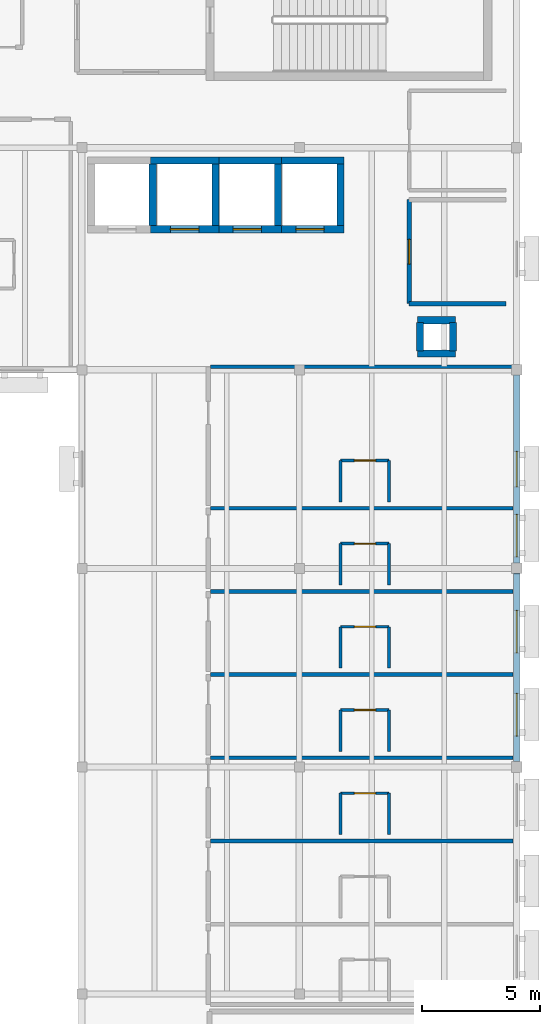
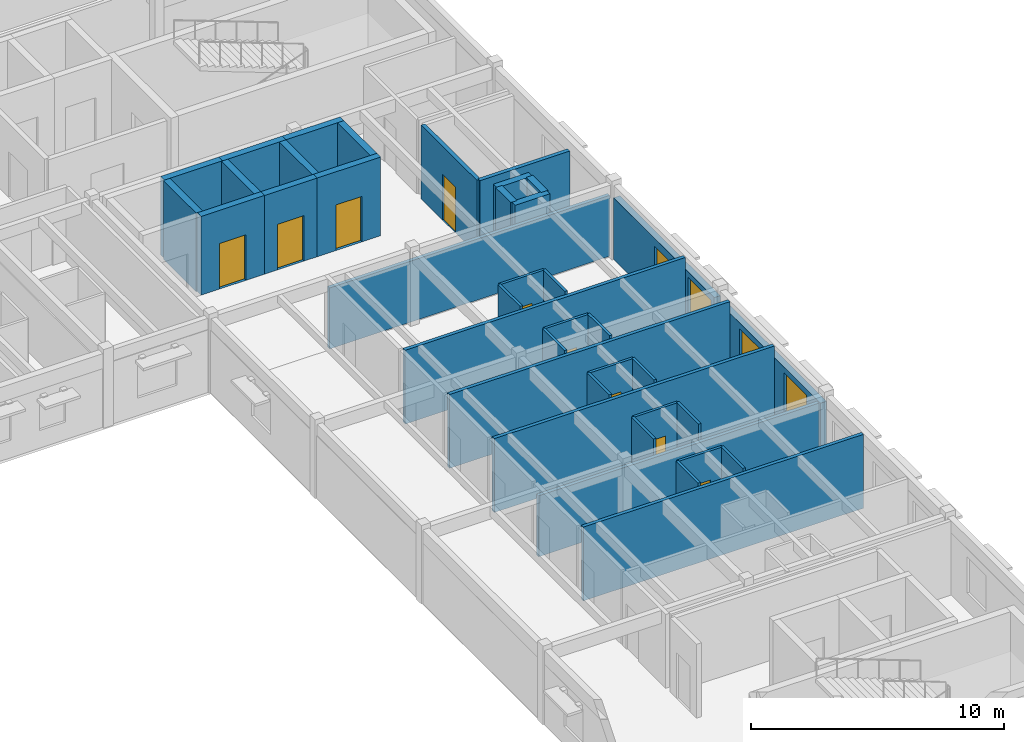
# One storey, part 8 of 15: 39 walls, 9 doors, 4 windows, 13 openings.
"""IFC4 building model written with IfcOpenShell, lengths in metres."""

from ifc_helpers import new_model, si_unit, direction, frame, frame_2d, origin, place, context, subcontext, project, spatial, rectangle, extrude, material, layer, layer_set, type_object, element, fill, save


model = new_model("IFC4")

# Units and contexts
model_context = context("Model", 3, precision=1e-05, world=origin(), true_north=direction((0.0, 1.0)))
body_context = subcontext(model_context, "Body", "Model", "MODEL_VIEW")
ifc_project = project(units=[si_unit("LENGTHUNIT", "METRE"), si_unit("AREAUNIT", "SQUARE_METRE"), si_unit("VOLUMEUNIT", "CUBIC_METRE"), si_unit("PLANEANGLEUNIT", "RADIAN"), si_unit("MASSUNIT", "GRAM", prefix="KILO")], contexts=[model_context])

# Site, building, storey
site_placement = place(None, origin())
site = spatial("IfcSite", under=ifc_project, at=site_placement, CompositionType="ELEMENT")
building_placement = place(site_placement, origin())
building = spatial("IfcBuilding", under=site, at=building_placement, Name="Veldera Park Congress Hotel", CompositionType="ELEMENT")
storey_placement = place(building_placement, frame((0.0, 0.0, 39.0)))
storey = spatial("IfcBuildingStorey", under=building, at=storey_placement, Name="L09", CompositionType="ELEMENT", Elevation=39.0)

# Wall, openings, windows
ifc_material_1 = material(Name="Cross-laminated timber CLT V2M1.1", Category="wood")
ifc_layer_1 = layer(ifc_material_1, 0.280029296875)
ifc_layer_set_1 = layer_set([ifc_layer_1], Name="Cross-laminated timber CLT V2M1.1")
wall_type_1 = type_object("IfcWallType", Name="EW-CLT280", PredefinedType="STANDARD", material=ifc_layer_set_1)
wall_1_placement = place(storey_placement, frame((84.0, 10.423095703125, 0.0), z_axis=(0.0, 0.0, 1.0), x_axis=(0.0, 1.0, 0.0)))
wall_1 = element("IfcWall", 1, at=wall_1_placement, inside=storey, type_object=wall_type_1, Name="L09 Exterior Wall EW3-L09-0403", PredefinedType="STANDARD", context=body_context, shape_type="SweptSolid", body=[
    extrude(rectangle(XDim=7.953857421875, YDim=0.280029296875, at=frame_2d((3.97705078125, 0.0))), origin(), (0.0, 0.0, 1.0), 2.97998046875),
])
opening_1_placement = place(wall_1_placement, frame((1.0869140625, 0.0, 0.85009765625)))
opening_1 = element("IfcOpeningElement", 2, at=opening_1_placement, cuts=wall_1, Name="Opening WIN-1800", PredefinedType="OPENING", context=body_context, shape_type="SweptSolid", body=[
    extrude(rectangle(XDim=1.800048828125, YDim=1.85009765625, at=frame_2d((0.89990234375, 0.925048828125))), frame((0.0, 0.152099609375, 0.0), z_axis=(0.0, -1.0, 0.0), x_axis=(1.0, 0.0, 0.0)), (0.0, 0.0, 1.0), 0.303955078125),
])
opening_2_placement = place(wall_1_placement, frame((4.60693359375, 0.0, 0.85009765625)))
opening_2 = element("IfcOpeningElement", 3, at=opening_2_placement, cuts=wall_1, Name="Opening WIN-1800", PredefinedType="OPENING", context=body_context, shape_type="SweptSolid", body=[
    extrude(rectangle(XDim=1.800048828125, YDim=1.85009765625, at=frame_2d((0.89990234375, 0.925048828125))), frame((0.0, 0.152099609375, 0.0), z_axis=(0.0, -1.0, 0.0), x_axis=(1.0, 0.0, 0.0)), (0.0, 0.0, 1.0), 0.303955078125),
])
ifc_material_2 = material(Name="Low-E Triple Insulating Glass Unit (SHGC 0.22)", Category="glass")
window_type_1 = type_object("IfcWindowType", Name="WIN-1800", PartitioningType="SINGLE_PANEL", PredefinedType="WINDOW", material=ifc_material_2)
window_1_placement = place(opening_1_placement, origin())
window_1 = element("IfcWindow", 4, at=window_1_placement, inside=storey, type_object=window_type_1, Name="L09 Window WIN-1800 568", OverallHeight=1.85009765625, OverallWidth=1.800048828125, PartitioningType="SINGLE_PANEL", PredefinedType="WINDOW", context=body_context, shape_type="SweptSolid", body=[
    extrude(rectangle(XDim=1.800048828125, YDim=1.85009765625, at=frame_2d((0.89990234375, 0.925048828125))), frame((0.0, 0.030029296875, 0.0), z_axis=(0.0, -1.0, 0.0), x_axis=(1.0, 0.0, 0.0)), (0.0, 0.0, 1.0), 0.06005859375),
])
fill(opening_1, window_1)
window_2_placement = place(opening_2_placement, origin())
window_2 = element("IfcWindow", 5, at=window_2_placement, inside=storey, type_object=window_type_1, Name="L09 Window WIN-1800 569", OverallHeight=1.85009765625, OverallWidth=1.800048828125, PartitioningType="SINGLE_PANEL", PredefinedType="WINDOW", context=body_context, shape_type="SweptSolid", body=[
    extrude(rectangle(XDim=1.800048828125, YDim=1.85009765625, at=frame_2d((0.89990234375, 0.925048828125))), frame((0.0, 0.030029296875, 0.0), z_axis=(0.0, -1.0, 0.0), x_axis=(1.0, 0.0, 0.0)), (0.0, 0.0, 1.0), 0.06005859375),
])
fill(opening_2, window_2)

wall_2_placement = place(storey_placement, frame((84.0, 18.822998046875, 0.0), z_axis=(0.0, 0.0, 1.0), x_axis=(0.0, 1.0, 0.0)))
wall_2 = element("IfcWall", 6, at=wall_2_placement, inside=storey, type_object=wall_type_1, Name="L09 Exterior Wall EW3-L09-0404", PredefinedType="STANDARD", context=body_context, shape_type="SweptSolid", body=[
    extrude(rectangle(XDim=7.9541015625, YDim=0.280029296875, at=frame_2d((3.97705078125, 0.0))), origin(), (0.0, 0.0, 1.0), 2.97998046875),
])
opening_3_placement = place(wall_2_placement, frame((3.22705078125, 0.0, 0.85009765625)))
opening_3 = element("IfcOpeningElement", 7, at=opening_3_placement, cuts=wall_2, Name="Opening WIN-1500", PredefinedType="OPENING", context=body_context, shape_type="SweptSolid", body=[
    extrude(rectangle(XDim=1.5, YDim=1.75, at=frame_2d((0.75, 0.875))), frame((0.0, 0.152099609375, 0.0), z_axis=(0.0, -1.0, 0.0), x_axis=(1.0, 0.0, 0.0)), (0.0, 0.0, 1.0), 0.303955078125),
])
opening_4_placement = place(wall_2_placement, frame((0.263427734375, 0.0, 0.85009765625)))
opening_4 = element("IfcOpeningElement", 8, at=opening_4_placement, cuts=wall_2, Name="Opening WIN-1800", PredefinedType="OPENING", context=body_context, shape_type="SweptSolid", body=[
    extrude(rectangle(XDim=1.800048828125, YDim=1.85009765625, at=frame_2d((0.89990234375, 0.925048828125))), frame((0.0, 0.152099609375, 0.0), z_axis=(0.0, -1.0, 0.0), x_axis=(1.0, 0.0, 0.0)), (0.0, 0.0, 1.0), 0.303955078125),
])
window_type_2 = type_object("IfcWindowType", Name="WIN-1500", PartitioningType="SINGLE_PANEL", PredefinedType="WINDOW", material=ifc_material_2)
window_3_placement = place(opening_3_placement, origin())
window_3 = element("IfcWindow", 9, at=window_3_placement, inside=storey, type_object=window_type_2, Name="L09 Window WIN-1500 312", OverallHeight=1.75, OverallWidth=1.5, PartitioningType="SINGLE_PANEL", PredefinedType="WINDOW", context=body_context, shape_type="SweptSolid", body=[
    extrude(rectangle(XDim=1.5, YDim=1.75, at=frame_2d((0.75, 0.875))), frame((0.0, 0.030029296875, 0.0), z_axis=(0.0, -1.0, 0.0), x_axis=(1.0, 0.0, 0.0)), (0.0, 0.0, 1.0), 0.06005859375),
])
fill(opening_3, window_3)
window_4_placement = place(opening_4_placement, origin())
window_4 = element("IfcWindow", 10, at=window_4_placement, inside=storey, type_object=window_type_1, Name="L09 Window WIN-1800 570", OverallHeight=1.85009765625, OverallWidth=1.800048828125, PartitioningType="SINGLE_PANEL", PredefinedType="WINDOW", context=body_context, shape_type="SweptSolid", body=[
    extrude(rectangle(XDim=1.800048828125, YDim=1.85009765625, at=frame_2d((0.89990234375, 0.925048828125))), frame((0.0, 0.030029296875, 0.0), z_axis=(0.0, -1.0, 0.0), x_axis=(1.0, 0.0, 0.0)), (0.0, 0.0, 1.0), 0.06005859375),
])
fill(opening_4, window_4)

# Walls
ifc_material_3 = material(Name="Fire-Rated Gypsum Board on Cold-Formed Steel Studs", Category="steel")
ifc_layer_2 = layer(ifc_material_3, 0.1201171875)
ifc_layer_set_2 = layer_set([ifc_layer_2], Name="Fire-Rated Gypsum Board on Cold-Formed Steel Studs")
wall_type_2 = type_object("IfcWallType", Name="IW-BATH120", PredefinedType="PARTITIONING", material=ifc_layer_set_2)
for number, where, z_axis, x_axis, name in (
    (11, (76.550048828125, 7.340087890625, 0.0), (0.0, 0.0, 1.0), (0.0, 1.0, 0.0), "L09 Partition Wall IW3-L09-01611"),
    (12, (78.60009765625, 7.340087890625, 0.0), (0.0, 0.0, 1.0), (0.0, 1.0, 0.0), "L09 Partition Wall IW3-L09-01612"),
):
    element("IfcWall", number, at=place(storey_placement, frame(where, z_axis=z_axis, x_axis=x_axis)), inside=storey, type_object=wall_type_2, Name=name, PredefinedType="PARTITIONING", context=body_context, shape_type="SweptSolid", body=[
        extrude(rectangle(XDim=1.75, YDim=0.1201171875, at=frame_2d((0.875, 0.0))), origin(), (0.0, 0.0, 1.0), 3.56494140625),
    ])

# Wall, opening, door
wall_3_placement = place(storey_placement, frame((76.550048828125, 9.090087890625, 0.0), z_axis=(0.0, 0.0, 1.0), x_axis=(1.0, 0.0, 0.0)))
wall_3 = element("IfcWall", 13, at=wall_3_placement, inside=storey, type_object=wall_type_2, Name="L09 Partition Wall IW3-L09-01613", PredefinedType="PARTITIONING", context=body_context, shape_type="SweptSolid", body=[
    extrude(rectangle(XDim=2.050048828125, YDim=0.1201171875, at=frame_2d((1.02490234375, 0.0))), origin(), (0.0, 0.0, 1.0), 3.56494140625),
])
opening_5_placement = place(wall_3_placement, frame((0.574951171875, 0.0, 0.0)))
opening_5 = element("IfcOpeningElement", 14, at=opening_5_placement, cuts=wall_3, Name="Opening ID-BATH090", PredefinedType="OPENING", context=body_context, shape_type="SweptSolid", body=[
    extrude(rectangle(XDim=0.89990234375, YDim=2.14990234375, at=frame_2d((0.449951171875, 1.074951171875))), frame((0.0, 0.072021484375, 0.0), z_axis=(0.0, -1.0, 0.0), x_axis=(1.0, 0.0, 0.0)), (0.0, 0.0, 1.0), 0.14404296875),
])
ifc_material_4 = material(Name="Solid Core White Oak Architectural Door", Category="wood")
door_type_1 = type_object("IfcDoorType", Name="ID-BATH090", OperationType="NOTDEFINED", PredefinedType="DOOR", material=ifc_material_4)
door_1_placement = place(opening_5_placement, origin())
door_1 = element("IfcDoor", 15, at=door_1_placement, inside=storey, type_object=door_type_1, Name="L09 En-suite 262 Door ID3-L09-0663 (DR3-ID3-L09-0663)", OperationType="SINGLE_SWING_LEFT", OverallHeight=2.14990234375, OverallWidth=0.89990234375, PredefinedType="DOOR", context=body_context, shape_type="SweptSolid", body=[
    extrude(rectangle(XDim=0.89990234375, YDim=2.14990234375, at=frame_2d((0.449951171875, 1.074951171875))), frame((0.0, 0.02490234375, 0.0), z_axis=(0.0, -1.0, 0.0), x_axis=(1.0, 0.0, 0.0)), (0.0, 0.0, 1.0), 0.050048828125),
])
fill(opening_5, door_1)

# Walls
for number, where, z_axis, x_axis, name in (
    (16, (76.550048828125, 10.860107421875, 0.0), (0.0, 0.0, 1.0), (0.0, 1.0, 0.0), "L09 Partition Wall IW3-L09-01616"),
    (17, (78.60009765625, 10.860107421875, 0.0), (0.0, 0.0, 1.0), (0.0, 1.0, 0.0), "L09 Partition Wall IW3-L09-01617"),
):
    element("IfcWall", number, at=place(storey_placement, frame(where, z_axis=z_axis, x_axis=x_axis)), inside=storey, type_object=wall_type_2, Name=name, PredefinedType="PARTITIONING", context=body_context, shape_type="SweptSolid", body=[
        extrude(rectangle(XDim=1.75, YDim=0.1201171875, at=frame_2d((0.875, 0.0))), origin(), (0.0, 0.0, 1.0), 3.56494140625),
    ])

# Wall, opening, door
wall_4_placement = place(storey_placement, frame((76.550048828125, 12.610107421875, 0.0), z_axis=(0.0, 0.0, 1.0), x_axis=(1.0, 0.0, 0.0)))
wall_4 = element("IfcWall", 18, at=wall_4_placement, inside=storey, type_object=wall_type_2, Name="L09 Partition Wall IW3-L09-01618", PredefinedType="PARTITIONING", context=body_context, shape_type="SweptSolid", body=[
    extrude(rectangle(XDim=2.050048828125, YDim=0.1201171875, at=frame_2d((1.02490234375, 0.0))), origin(), (0.0, 0.0, 1.0), 3.56494140625),
])
opening_6_placement = place(wall_4_placement, frame((0.574951171875, 0.0, 0.0)))
opening_6 = element("IfcOpeningElement", 19, at=opening_6_placement, cuts=wall_4, Name="Opening ID-BATH090", PredefinedType="OPENING", context=body_context, shape_type="SweptSolid", body=[
    extrude(rectangle(XDim=0.89990234375, YDim=2.14990234375, at=frame_2d((0.449951171875, 1.074951171875))), frame((0.0, 0.072021484375, 0.0), z_axis=(0.0, -1.0, 0.0), x_axis=(1.0, 0.0, 0.0)), (0.0, 0.0, 1.0), 0.14404296875),
])
door_2_placement = place(opening_6_placement, origin())
door_2 = element("IfcDoor", 20, at=door_2_placement, inside=storey, type_object=door_type_1, Name="L09 En-suite 263 Door ID3-L09-0665 (DR3-ID3-L09-0665)", OperationType="SINGLE_SWING_LEFT", OverallHeight=2.14990234375, OverallWidth=0.89990234375, PredefinedType="DOOR", context=body_context, shape_type="SweptSolid", body=[
    extrude(rectangle(XDim=0.89990234375, YDim=2.14990234375, at=frame_2d((0.449951171875, 1.074951171875))), frame((0.0, 0.02490234375, 0.0), z_axis=(0.0, -1.0, 0.0), x_axis=(1.0, 0.0, 0.0)), (0.0, 0.0, 1.0), 0.050048828125),
])
fill(opening_6, door_2)

# Walls
for number, where, z_axis, x_axis, name in (
    (21, (76.550048828125, 14.3798828125, 0.0), (0.0, 0.0, 1.0), (0.0, 1.0, 0.0), "L09 Partition Wall IW3-L09-01621"),
    (22, (78.60009765625, 14.3798828125, 0.0), (0.0, 0.0, 1.0), (0.0, 1.0, 0.0), "L09 Partition Wall IW3-L09-01622"),
):
    element("IfcWall", number, at=place(storey_placement, frame(where, z_axis=z_axis, x_axis=x_axis)), inside=storey, type_object=wall_type_2, Name=name, PredefinedType="PARTITIONING", context=body_context, shape_type="SweptSolid", body=[
        extrude(rectangle(XDim=1.75, YDim=0.1201171875, at=frame_2d((0.875, 0.0))), origin(), (0.0, 0.0, 1.0), 3.56494140625),
    ])

# Wall, opening, door
wall_5_placement = place(storey_placement, frame((76.550048828125, 16.1298828125, 0.0), z_axis=(0.0, 0.0, 1.0), x_axis=(1.0, 0.0, 0.0)))
wall_5 = element("IfcWall", 23, at=wall_5_placement, inside=storey, type_object=wall_type_2, Name="L09 Partition Wall IW3-L09-01623", PredefinedType="PARTITIONING", context=body_context, shape_type="SweptSolid", body=[
    extrude(rectangle(XDim=2.050048828125, YDim=0.1201171875, at=frame_2d((1.02490234375, 0.0))), origin(), (0.0, 0.0, 1.0), 3.56494140625),
])
opening_7_placement = place(wall_5_placement, frame((0.574951171875, 0.0, 0.0)))
opening_7 = element("IfcOpeningElement", 24, at=opening_7_placement, cuts=wall_5, Name="Opening ID-BATH090", PredefinedType="OPENING", context=body_context, shape_type="SweptSolid", body=[
    extrude(rectangle(XDim=0.89990234375, YDim=2.14990234375, at=frame_2d((0.449951171875, 1.074951171875))), frame((0.0, 0.072021484375, 0.0), z_axis=(0.0, -1.0, 0.0), x_axis=(1.0, 0.0, 0.0)), (0.0, 0.0, 1.0), 0.14404296875),
])
door_3_placement = place(opening_7_placement, origin())
door_3 = element("IfcDoor", 25, at=door_3_placement, inside=storey, type_object=door_type_1, Name="L09 En-suite 264 Door ID3-L09-0667 (DR3-ID3-L09-0667)", OperationType="SINGLE_SWING_LEFT", OverallHeight=2.14990234375, OverallWidth=0.89990234375, PredefinedType="DOOR", context=body_context, shape_type="SweptSolid", body=[
    extrude(rectangle(XDim=0.89990234375, YDim=2.14990234375, at=frame_2d((0.449951171875, 1.074951171875))), frame((0.0, 0.02490234375, 0.0), z_axis=(0.0, -1.0, 0.0), x_axis=(1.0, 0.0, 0.0)), (0.0, 0.0, 1.0), 0.050048828125),
])
fill(opening_7, door_3)

# Walls
for number, where, z_axis, x_axis, name in (
    (26, (76.550048828125, 17.89990234375, 0.0), (0.0, 0.0, 1.0), (0.0, 1.0, 0.0), "L09 Partition Wall IW3-L09-01626"),
    (27, (78.60009765625, 17.89990234375, 0.0), (0.0, 0.0, 1.0), (0.0, 1.0, 0.0), "L09 Partition Wall IW3-L09-01627"),
):
    element("IfcWall", number, at=place(storey_placement, frame(where, z_axis=z_axis, x_axis=x_axis)), inside=storey, type_object=wall_type_2, Name=name, PredefinedType="PARTITIONING", context=body_context, shape_type="SweptSolid", body=[
        extrude(rectangle(XDim=1.75, YDim=0.1201171875, at=frame_2d((0.875, 0.0))), origin(), (0.0, 0.0, 1.0), 3.56494140625),
    ])

# Wall, opening, door
wall_6_placement = place(storey_placement, frame((76.550048828125, 19.64990234375, 0.0), z_axis=(0.0, 0.0, 1.0), x_axis=(1.0, 0.0, 0.0)))
wall_6 = element("IfcWall", 28, at=wall_6_placement, inside=storey, type_object=wall_type_2, Name="L09 Partition Wall IW3-L09-01628", PredefinedType="PARTITIONING", context=body_context, shape_type="SweptSolid", body=[
    extrude(rectangle(XDim=2.050048828125, YDim=0.1201171875, at=frame_2d((1.02490234375, 0.0))), origin(), (0.0, 0.0, 1.0), 3.56494140625),
])
opening_8_placement = place(wall_6_placement, frame((0.574951171875, 0.0, 0.0)))
opening_8 = element("IfcOpeningElement", 29, at=opening_8_placement, cuts=wall_6, Name="Opening ID-BATH090", PredefinedType="OPENING", context=body_context, shape_type="SweptSolid", body=[
    extrude(rectangle(XDim=0.89990234375, YDim=2.14990234375, at=frame_2d((0.449951171875, 1.074951171875))), frame((0.0, 0.072021484375, 0.0), z_axis=(0.0, -1.0, 0.0), x_axis=(1.0, 0.0, 0.0)), (0.0, 0.0, 1.0), 0.14404296875),
])
door_4_placement = place(opening_8_placement, origin())
door_4 = element("IfcDoor", 30, at=door_4_placement, inside=storey, type_object=door_type_1, Name="L09 En-suite 265 Door ID3-L09-0669 (DR3-ID3-L09-0669)", OperationType="SINGLE_SWING_LEFT", OverallHeight=2.14990234375, OverallWidth=0.89990234375, PredefinedType="DOOR", context=body_context, shape_type="SweptSolid", body=[
    extrude(rectangle(XDim=0.89990234375, YDim=2.14990234375, at=frame_2d((0.449951171875, 1.074951171875))), frame((0.0, 0.02490234375, 0.0), z_axis=(0.0, -1.0, 0.0), x_axis=(1.0, 0.0, 0.0)), (0.0, 0.0, 1.0), 0.050048828125),
])
fill(opening_8, door_4)

# Walls
for number, where, z_axis, x_axis, name in (
    (31, (76.550048828125, 21.419921875, 0.0), (0.0, 0.0, 1.0), (0.0, 1.0, 0.0), "L09 Partition Wall IW3-L09-01631"),
    (32, (78.60009765625, 21.419921875, 0.0), (0.0, 0.0, 1.0), (0.0, 1.0, 0.0), "L09 Partition Wall IW3-L09-01632"),
):
    element("IfcWall", number, at=place(storey_placement, frame(where, z_axis=z_axis, x_axis=x_axis)), inside=storey, type_object=wall_type_2, Name=name, PredefinedType="PARTITIONING", context=body_context, shape_type="SweptSolid", body=[
        extrude(rectangle(XDim=1.75, YDim=0.1201171875, at=frame_2d((0.875, 0.0))), origin(), (0.0, 0.0, 1.0), 3.56494140625),
    ])

# Wall, opening, door
wall_7_placement = place(storey_placement, frame((76.550048828125, 23.169921875, 0.0), z_axis=(0.0, 0.0, 1.0), x_axis=(1.0, 0.0, 0.0)))
wall_7 = element("IfcWall", 33, at=wall_7_placement, inside=storey, type_object=wall_type_2, Name="L09 Partition Wall IW3-L09-01633", PredefinedType="PARTITIONING", context=body_context, shape_type="SweptSolid", body=[
    extrude(rectangle(XDim=2.050048828125, YDim=0.1201171875, at=frame_2d((1.02490234375, 0.0))), origin(), (0.0, 0.0, 1.0), 3.56494140625),
])
opening_9_placement = place(wall_7_placement, frame((0.574951171875, 0.0, 0.0)))
opening_9 = element("IfcOpeningElement", 34, at=opening_9_placement, cuts=wall_7, Name="Opening ID-BATH090", PredefinedType="OPENING", context=body_context, shape_type="SweptSolid", body=[
    extrude(rectangle(XDim=0.89990234375, YDim=2.14990234375, at=frame_2d((0.449951171875, 1.074951171875))), frame((0.0, 0.072021484375, 0.0), z_axis=(0.0, -1.0, 0.0), x_axis=(1.0, 0.0, 0.0)), (0.0, 0.0, 1.0), 0.14404296875),
])
door_5_placement = place(opening_9_placement, origin())
door_5 = element("IfcDoor", 35, at=door_5_placement, inside=storey, type_object=door_type_1, Name="L09 En-suite 266 Door ID3-L09-0671 (DR3-ID3-L09-0671)", OperationType="SINGLE_SWING_LEFT", OverallHeight=2.14990234375, OverallWidth=0.89990234375, PredefinedType="DOOR", context=body_context, shape_type="SweptSolid", body=[
    extrude(rectangle(XDim=0.89990234375, YDim=2.14990234375, at=frame_2d((0.449951171875, 1.074951171875))), frame((0.0, 0.02490234375, 0.0), z_axis=(0.0, -1.0, 0.0), x_axis=(1.0, 0.0, 0.0)), (0.0, 0.0, 1.0), 0.050048828125),
])
fill(opening_9, door_5)

# Wall
ifc_layer_3 = layer(ifc_material_3, 0.179931640625)
ifc_layer_set_3 = layer_set([ifc_layer_3], Name="Fire-Rated Gypsum Board on Cold-Formed Steel Studs")
wall_type_3 = type_object("IfcWallType", Name="IW-CORR180", PredefinedType="PARTITIONING", material=ifc_layer_set_3)
wall_8_placement = place(storey_placement, frame((79.449951171875, 29.800048828125, 0.0), z_axis=(0.0, 0.0, 1.0), x_axis=(1.0, 0.0, 0.0)))
element("IfcWall", 36, at=wall_8_placement, inside=storey, type_object=wall_type_3, Name="L09 Partition Wall IW3-L09-00324", PredefinedType="PARTITIONING", context=body_context, shape_type="SweptSolid", body=[
    extrude(rectangle(XDim=4.10009765625, YDim=0.179931640625, at=frame_2d((2.050048828125, 0.0))), origin(), (0.0, 0.0, 1.0), 3.56494140625),
])

# Wall, opening, door
wall_9_placement = place(storey_placement, frame((79.449951171875, 34.199951171875, 0.0), z_axis=(0.0, 0.0, 1.0), x_axis=(0.0, -1.0, 0.0)))
wall_9 = element("IfcWall", 37, at=wall_9_placement, inside=storey, type_object=wall_type_3, Name="L09 Partition Wall IW3-L09-00326", PredefinedType="PARTITIONING", context=body_context, shape_type="SweptSolid", body=[
    extrude(rectangle(XDim=4.39990234375, YDim=0.179931640625, at=frame_2d((2.199951171875, 0.0))), origin(), (0.0, 0.0, 1.0), 3.56494140625),
])
opening_10_placement = place(wall_9_placement, frame((1.675048828125, 0.0, 0.0)))
opening_10 = element("IfcOpeningElement", 38, at=opening_10_placement, cuts=wall_9, Name="Opening ID-MEET105", PredefinedType="OPENING", context=body_context, shape_type="SweptSolid", body=[
    extrude(rectangle(XDim=1.050048828125, YDim=2.199951171875, at=frame_2d((0.52490234375, 1.10009765625))), frame((0.0, 0.10205078125, 0.0), z_axis=(0.0, -1.0, 0.0), x_axis=(1.0, 0.0, 0.0)), (0.0, 0.0, 1.0), 0.203857421875),
])
door_type_2 = type_object("IfcDoorType", Name="ID-MEET105", OperationType="NOTDEFINED", PredefinedType="DOOR", material=ifc_material_4)
door_6_placement = place(opening_10_placement, origin())
door_6 = element("IfcDoor", 39, at=door_6_placement, inside=storey, type_object=door_type_2, Name="L09 L09 Housekeeping and Linen Store Door ID3-L09-0122 (DR3-ID3-L09-0122)", OperationType="SINGLE_SWING_LEFT", OverallHeight=2.199951171875, OverallWidth=1.050048828125, PredefinedType="DOOR", context=body_context, shape_type="SweptSolid", body=[
    extrude(rectangle(XDim=1.050048828125, YDim=2.199951171875, at=frame_2d((0.52490234375, 1.10009765625))), frame((0.0, 0.02490234375, 0.0), z_axis=(0.0, -1.0, 0.0), x_axis=(1.0, 0.0, 0.0)), (0.0, 0.0, 1.0), 0.050048828125),
])
fill(opening_10, door_6)

# Walls
ifc_layer_4 = layer(ifc_material_1, 0.159912109375)
ifc_layer_set_4 = layer_set([ifc_layer_4], Name="Cross-laminated timber CLT V2M1.1")
wall_type_4 = type_object("IfcWallType", Name="IW-UNIT160", PredefinedType="PARTITIONING", material=ifc_layer_set_4)
wall_10_placement = place(storey_placement, frame((71.050048828125, 7.070068359375, 0.0), z_axis=(0.0, 0.0, 1.0), x_axis=(1.0, 0.0, 0.0)))
element("IfcWall", 40, at=wall_10_placement, inside=storey, type_object=wall_type_4, Name="L09 Partition Wall IW3-L09-01605", PredefinedType="PARTITIONING", context=body_context, shape_type="SweptSolid", body=[
    extrude(rectangle(XDim=12.7900390625, YDim=0.159912109375, at=frame_2d((6.39501953125, 0.0))), origin(), (0.0, 0.0, 1.0), 3.56494140625),
])
wall_11_placement = place(storey_placement, frame((71.050048828125, 10.590087890625, 0.0), z_axis=(0.0, 0.0, 1.0), x_axis=(1.0, 0.0, 0.0)))
element("IfcWall", 41, at=wall_11_placement, inside=storey, type_object=wall_type_4, Name="L09 Partition Wall IW3-L09-01610", PredefinedType="PARTITIONING", context=body_context, shape_type="SweptSolid", body=[
    extrude(rectangle(XDim=12.7900390625, YDim=0.159912109375, at=frame_2d((6.39501953125, 0.0))), origin(), (0.0, 0.0, 1.0), 2.93994140625),
])
for number, where, z_axis, x_axis, name in (
    (42, (71.050048828125, 14.110107421875, 0.0), (0.0, 0.0, 1.0), (1.0, 0.0, 0.0), "L09 Partition Wall IW3-L09-01615"),
    (43, (71.050048828125, 17.6298828125, 0.0), (0.0, 0.0, 1.0), (1.0, 0.0, 0.0), "L09 Partition Wall IW3-L09-01620"),
    (44, (71.050048828125, 21.14990234375, 0.0), (0.0, 0.0, 1.0), (1.0, 0.0, 0.0), "L09 Partition Wall IW3-L09-01625"),
):
    element("IfcWall", number, at=place(storey_placement, frame(where, z_axis=z_axis, x_axis=x_axis)), inside=storey, type_object=wall_type_4, Name=name, PredefinedType="PARTITIONING", context=body_context, shape_type="SweptSolid", body=[
        extrude(rectangle(XDim=12.7900390625, YDim=0.159912109375, at=frame_2d((6.39501953125, 0.0))), origin(), (0.0, 0.0, 1.0), 3.56494140625),
    ])
wall_12_placement = place(storey_placement, frame((71.050048828125, 27.1298828125, 0.0), z_axis=(0.0, 0.0, 1.0), x_axis=(1.0, 0.0, 0.0)))
element("IfcWall", 45, at=wall_12_placement, inside=storey, type_object=wall_type_4, Name="L09 Partition Wall IW3-L09-01630", PredefinedType="PARTITIONING", context=body_context, shape_type="SweptSolid", body=[
    extrude(rectangle(XDim=12.7900390625, YDim=0.159912109375, at=frame_2d((6.39501953125, 0.0))), origin(), (0.0, 0.0, 1.0), 2.93994140625),
])
ifc_material_5 = material(Name="Concrete f'c 40 MPa (5,800 psi)", Category="concrete")
ifc_layer_5 = layer(ifc_material_5, 0.300048828125)
ifc_layer_set_5 = layer_set([ifc_layer_5], Name="Concrete f'c 40 MPa (5,800 psi)")
wall_type_5 = type_object("IfcWallType", Name="SW-SHFT300", PredefinedType="SHEAR", material=ifc_layer_set_5)
for number, where, z_axis, x_axis, name in (
    (46, (79.800048828125, 27.699951171875, 0.0), (0.0, 0.0, 1.0), (1.0, 0.0, 0.0), "MEP Riser Shaft Wall L09-S"),
    (47, (81.39990234375, 29.10009765625, 0.0), (0.0, 0.0, 1.0), (-1.0, 0.0, 0.0), "MEP Riser Shaft Wall L09-N"),
):
    element("IfcWall", number, at=place(storey_placement, frame(where, z_axis=z_axis, x_axis=x_axis)), inside=storey, type_object=wall_type_5, Name=name, PredefinedType="SHEAR", context=body_context, shape_type="SweptSolid", body=[
        extrude(rectangle(XDim=1.599853515625, YDim=0.300048828125, at=frame_2d((0.7998046875, 0.0))), origin(), (0.0, 0.0, 1.0), 3.56494140625),
    ])
for number, where, z_axis, x_axis, name in (
    (48, (79.89990234375, 29.0, 0.0), (0.0, 0.0, 1.0), (0.0, -1.0, 0.0), "MEP Riser Shaft Wall L09-W"),
    (49, (81.300048828125, 27.800048828125, 0.0), (0.0, 0.0, 1.0), (0.0, 1.0, 0.0), "MEP Riser Shaft Wall L09-E"),
):
    element("IfcWall", number, at=place(storey_placement, frame(where, z_axis=z_axis, x_axis=x_axis)), inside=storey, type_object=wall_type_5, Name=name, PredefinedType="SHEAR", context=body_context, shape_type="SweptSolid", body=[
        extrude(rectangle(XDim=1.199951171875, YDim=0.300048828125, at=frame_2d((0.60009765625, 0.0))), origin(), (0.0, 0.0, 1.0), 3.56494140625),
    ])
wall_13_placement = place(storey_placement, frame((68.60009765625, 33.10009765625, 0.0), z_axis=(0.0, 0.0, 1.0), x_axis=(0.0, 1.0, 0.0)))
element("IfcWall", 50, at=wall_13_placement, inside=storey, type_object=wall_type_5, Name="Lift PL-01 Shaft Wall L09-E", PredefinedType="SHEAR", context=body_context, shape_type="SweptSolid", body=[
    extrude(rectangle(XDim=2.599853515625, YDim=0.300048828125, at=frame_2d((1.2998046875, 0.0))), origin(), (0.0, 0.0, 1.0), 3.800048828125),
])

# Wall, opening, door
wall_14_placement = place(storey_placement, frame((68.5, 32.949951171875, 0.0), z_axis=(0.0, 0.0, 1.0), x_axis=(1.0, 0.0, 0.0)))
wall_14 = element("IfcWall", 51, at=wall_14_placement, inside=storey, type_object=wall_type_5, Name="Lift PL-02 Shaft Wall L09-S", PredefinedType="SHEAR", context=body_context, shape_type="SweptSolid", body=[
    extrude(rectangle(XDim=2.89990234375, YDim=0.300048828125, at=frame_2d((1.449951171875, 0.0))), origin(), (0.0, 0.0, 1.0), 3.800048828125),
])
opening_11_placement = place(wall_14_placement, frame((0.85009765625, 0.0, 0.0)))
opening_11 = element("IfcOpeningElement", 52, at=opening_11_placement, cuts=wall_14, Name="Opening LD-120", PredefinedType="OPENING", context=body_context, shape_type="SweptSolid", body=[
    extrude(rectangle(XDim=1.199951171875, YDim=2.199951171875, at=frame_2d((0.60009765625, 1.10009765625))), frame((0.0, 0.162109375, 0.0), z_axis=(0.0, -1.0, 0.0), x_axis=(1.0, 0.0, 0.0)), (0.0, 0.0, 1.0), 0.323974609375),
])
ifc_material_6 = material(Name="Hollow Metal Fire-Rated Steel Door", Category="steel")
door_type_3 = type_object("IfcDoorType", Name="LD-120", OperationType="DOUBLE_DOOR_SLIDING", PredefinedType="DOOR", material=ifc_material_6)
door_7_placement = place(opening_11_placement, origin())
door_7 = element("IfcDoor", 53, at=door_7_placement, inside=storey, type_object=door_type_3, Name="L09 Lift PL-02 Landing Door (DR3-LD-PL-02-L09)", OperationType="DOUBLE_DOOR_SLIDING", OverallHeight=2.199951171875, OverallWidth=1.199951171875, PredefinedType="DOOR", context=body_context, shape_type="SweptSolid", body=[
    extrude(rectangle(XDim=1.199951171875, YDim=2.199951171875, at=frame_2d((0.60009765625, 1.10009765625))), frame((0.0, 0.02490234375, 0.0), z_axis=(0.0, -1.0, 0.0), x_axis=(1.0, 0.0, 0.0)), (0.0, 0.0, 1.0), 0.050048828125),
])
fill(opening_11, door_7)

# Walls
wall_15_placement = place(storey_placement, frame((71.39990234375, 35.85009765625, 0.0), z_axis=(0.0, 0.0, 1.0), x_axis=(-1.0, 0.0, 0.0)))
element("IfcWall", 54, at=wall_15_placement, inside=storey, type_object=wall_type_5, Name="Lift PL-02 Shaft Wall L09-N", PredefinedType="SHEAR", context=body_context, shape_type="SweptSolid", body=[
    extrude(rectangle(XDim=2.89990234375, YDim=0.300048828125, at=frame_2d((1.449951171875, 0.0))), origin(), (0.0, 0.0, 1.0), 3.800048828125),
])
wall_16_placement = place(storey_placement, frame((71.25, 33.10009765625, 0.0), z_axis=(0.0, 0.0, 1.0), x_axis=(0.0, 1.0, 0.0)))
element("IfcWall", 55, at=wall_16_placement, inside=storey, type_object=wall_type_5, Name="Lift PL-02 Shaft Wall L09-E", PredefinedType="SHEAR", context=body_context, shape_type="SweptSolid", body=[
    extrude(rectangle(XDim=2.599853515625, YDim=0.300048828125, at=frame_2d((1.2998046875, 0.0))), origin(), (0.0, 0.0, 1.0), 3.800048828125),
])

# Wall, opening, door
wall_17_placement = place(storey_placement, frame((71.14990234375, 32.949951171875, 0.0), z_axis=(0.0, 0.0, 1.0), x_axis=(1.0, 0.0, 0.0)))
wall_17 = element("IfcWall", 56, at=wall_17_placement, inside=storey, type_object=wall_type_5, Name="Lift PL-03 Shaft Wall L09-S", PredefinedType="SHEAR", context=body_context, shape_type="SweptSolid", body=[
    extrude(rectangle(XDim=2.900146484375, YDim=0.300048828125, at=frame_2d((1.4501953125, 0.0))), origin(), (0.0, 0.0, 1.0), 3.800048828125),
])
opening_12_placement = place(wall_17_placement, frame((0.85009765625, 0.0, 0.0)))
opening_12 = element("IfcOpeningElement", 57, at=opening_12_placement, cuts=wall_17, Name="Opening LD-120", PredefinedType="OPENING", context=body_context, shape_type="SweptSolid", body=[
    extrude(rectangle(XDim=1.199951171875, YDim=2.199951171875, at=frame_2d((0.60009765625, 1.10009765625))), frame((0.0, 0.162109375, 0.0), z_axis=(0.0, -1.0, 0.0), x_axis=(1.0, 0.0, 0.0)), (0.0, 0.0, 1.0), 0.323974609375),
])
door_8_placement = place(opening_12_placement, origin())
door_8 = element("IfcDoor", 58, at=door_8_placement, inside=storey, type_object=door_type_3, Name="L09 Lift PL-03 Landing Door (DR3-LD-PL-03-L09)", OperationType="DOUBLE_DOOR_SLIDING", OverallHeight=2.199951171875, OverallWidth=1.199951171875, PredefinedType="DOOR", context=body_context, shape_type="SweptSolid", body=[
    extrude(rectangle(XDim=1.199951171875, YDim=2.199951171875, at=frame_2d((0.60009765625, 1.10009765625))), frame((0.0, 0.02490234375, 0.0), z_axis=(0.0, -1.0, 0.0), x_axis=(1.0, 0.0, 0.0)), (0.0, 0.0, 1.0), 0.050048828125),
])
fill(opening_12, door_8)

# Walls
wall_18_placement = place(storey_placement, frame((74.050048828125, 35.85009765625, 0.0), z_axis=(0.0, 0.0, 1.0), x_axis=(-1.0, 0.0, 0.0)))
element("IfcWall", 59, at=wall_18_placement, inside=storey, type_object=wall_type_5, Name="Lift PL-03 Shaft Wall L09-N", PredefinedType="SHEAR", context=body_context, shape_type="SweptSolid", body=[
    extrude(rectangle(XDim=2.900146484375, YDim=0.300048828125, at=frame_2d((1.4501953125, 0.0))), origin(), (0.0, 0.0, 1.0), 3.800048828125),
])
wall_19_placement = place(storey_placement, frame((73.89990234375, 33.10009765625, 0.0), z_axis=(0.0, 0.0, 1.0), x_axis=(0.0, 1.0, 0.0)))
element("IfcWall", 60, at=wall_19_placement, inside=storey, type_object=wall_type_5, Name="Lift PL-03 Shaft Wall L09-E", PredefinedType="SHEAR", context=body_context, shape_type="SweptSolid", body=[
    extrude(rectangle(XDim=2.599853515625, YDim=0.300048828125, at=frame_2d((1.2998046875, 0.0))), origin(), (0.0, 0.0, 1.0), 3.800048828125),
])

# Wall, opening, door
wall_20_placement = place(storey_placement, frame((73.800048828125, 32.949951171875, 0.0), z_axis=(0.0, 0.0, 1.0), x_axis=(1.0, 0.0, 0.0)))
wall_20 = element("IfcWall", 61, at=wall_20_placement, inside=storey, type_object=wall_type_5, Name="Lift PL-04 Shaft Wall L09-S", PredefinedType="SHEAR", context=body_context, shape_type="SweptSolid", body=[
    extrude(rectangle(XDim=2.89990234375, YDim=0.300048828125, at=frame_2d((1.449951171875, 0.0))), origin(), (0.0, 0.0, 1.0), 3.800048828125),
])
opening_13_placement = place(wall_20_placement, frame((0.85009765625, 0.0, 0.0)))
opening_13 = element("IfcOpeningElement", 62, at=opening_13_placement, cuts=wall_20, Name="Opening LD-120", PredefinedType="OPENING", context=body_context, shape_type="SweptSolid", body=[
    extrude(rectangle(XDim=1.199951171875, YDim=2.199951171875, at=frame_2d((0.60009765625, 1.10009765625))), frame((0.0, 0.162109375, 0.0), z_axis=(0.0, -1.0, 0.0), x_axis=(1.0, 0.0, 0.0)), (0.0, 0.0, 1.0), 0.323974609375),
])
door_9_placement = place(opening_13_placement, origin())
door_9 = element("IfcDoor", 63, at=door_9_placement, inside=storey, type_object=door_type_3, Name="L09 Lift PL-04 Landing Door (DR3-LD-PL-04-L09)", OperationType="DOUBLE_DOOR_SLIDING", OverallHeight=2.199951171875, OverallWidth=1.199951171875, PredefinedType="DOOR", context=body_context, shape_type="SweptSolid", body=[
    extrude(rectangle(XDim=1.199951171875, YDim=2.199951171875, at=frame_2d((0.60009765625, 1.10009765625))), frame((0.0, 0.02490234375, 0.0), z_axis=(0.0, -1.0, 0.0), x_axis=(1.0, 0.0, 0.0)), (0.0, 0.0, 1.0), 0.050048828125),
])
fill(opening_13, door_9)

# Walls
wall_21_placement = place(storey_placement, frame((76.699951171875, 35.85009765625, 0.0), z_axis=(0.0, 0.0, 1.0), x_axis=(-1.0, 0.0, 0.0)))
element("IfcWall", 64, at=wall_21_placement, inside=storey, type_object=wall_type_5, Name="Lift PL-04 Shaft Wall L09-N", PredefinedType="SHEAR", context=body_context, shape_type="SweptSolid", body=[
    extrude(rectangle(XDim=2.89990234375, YDim=0.300048828125, at=frame_2d((1.449951171875, 0.0))), origin(), (0.0, 0.0, 1.0), 3.800048828125),
])
wall_22_placement = place(storey_placement, frame((76.550048828125, 33.10009765625, 0.0), z_axis=(0.0, 0.0, 1.0), x_axis=(0.0, 1.0, 0.0)))
element("IfcWall", 65, at=wall_22_placement, inside=storey, type_object=wall_type_5, Name="Lift PL-04 Shaft Wall L09-E", PredefinedType="SHEAR", context=body_context, shape_type="SweptSolid", body=[
    extrude(rectangle(XDim=2.599853515625, YDim=0.300048828125, at=frame_2d((1.2998046875, 0.0))), origin(), (0.0, 0.0, 1.0), 3.800048828125),
])

save(model, "model.ifc")
